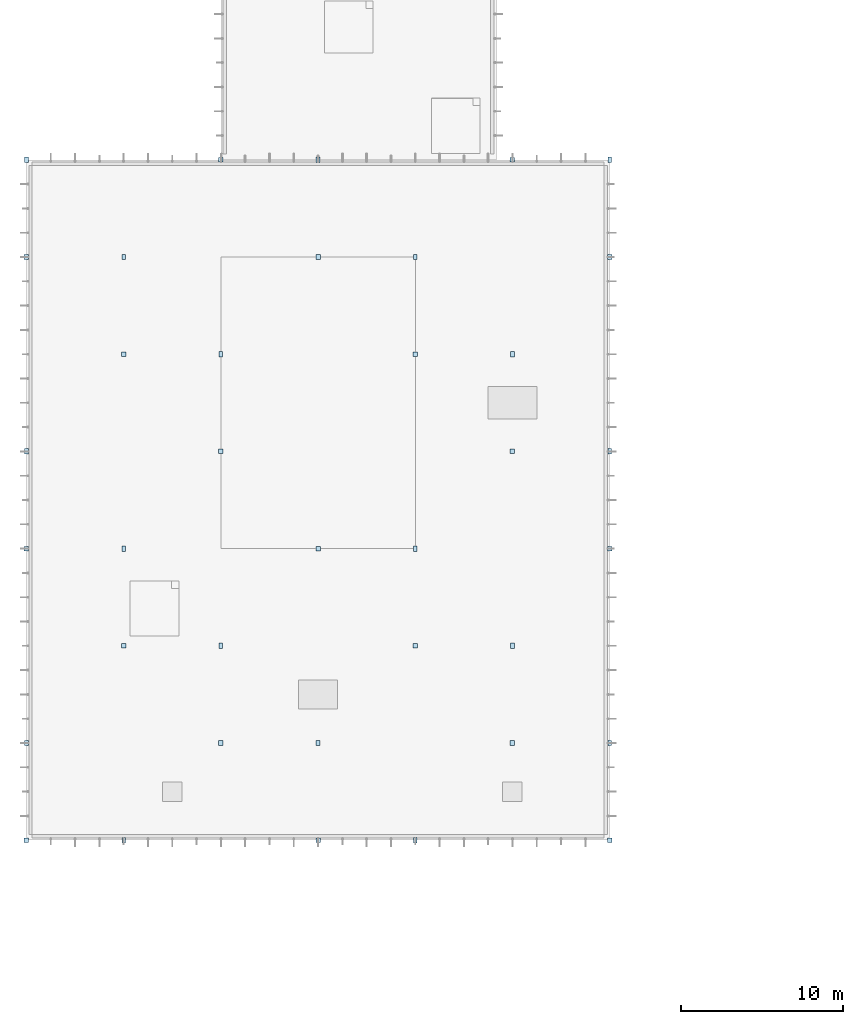
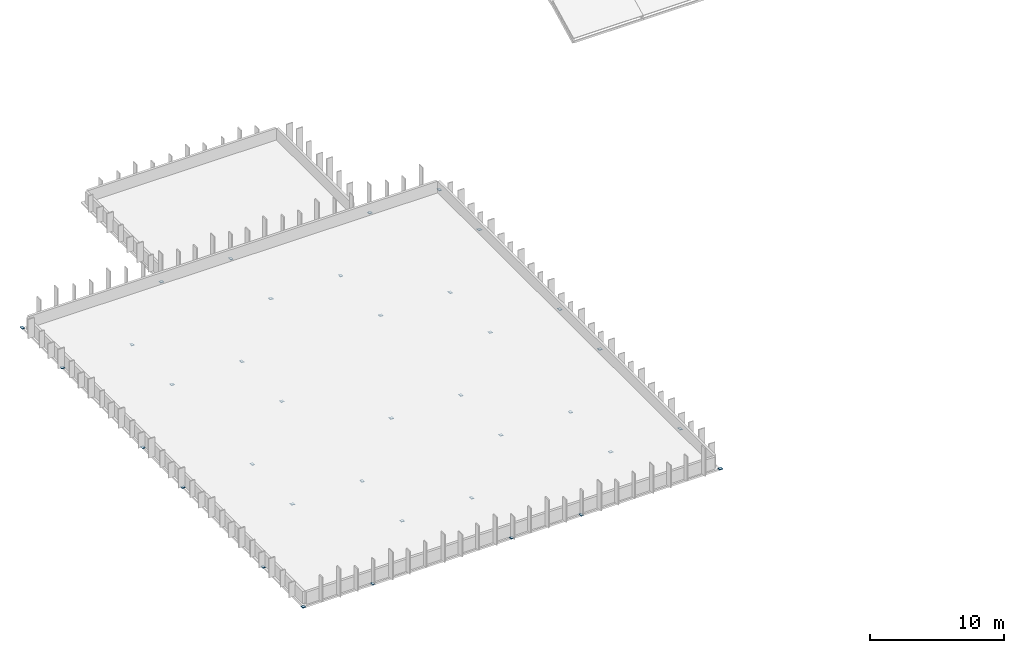
# One storey, part 13 of 27: 37 plates.
"""IFC4 building model written with IfcOpenShell, lengths in metres."""

from ifc_helpers import new_model, si_unit, direction, frame, origin, origin_2d, place, context, subcontext, project, spatial, rectangle, extrude, material, layer, layer_set, type_object, element, save


model = new_model("IFC4")

# Units and contexts
model_context = context("Model", 3, precision=1e-05, world=origin(), true_north=direction((0.0, 1.0)))
body_context = subcontext(model_context, "Body", "Model", "MODEL_VIEW")
ifc_project = project(units=[si_unit("LENGTHUNIT", "METRE"), si_unit("AREAUNIT", "SQUARE_METRE"), si_unit("VOLUMEUNIT", "CUBIC_METRE"), si_unit("PLANEANGLEUNIT", "RADIAN"), si_unit("MASSUNIT", "GRAM", prefix="KILO")], contexts=[model_context])

# Site, building, storey
site_placement = place(None, origin())
site = spatial("IfcSite", under=ifc_project, at=site_placement, CompositionType="ELEMENT")
building_placement = place(site_placement, origin())
building = spatial("IfcBuilding", under=site, at=building_placement, Name="Varnakota Square Police Headquarters", CompositionType="ELEMENT")
storey_placement = place(building_placement, frame((0.0, 0.0, 26.10009765625)))
storey = spatial("IfcBuildingStorey", under=building, at=storey_placement, Name="L06", CompositionType="ELEMENT", Elevation=26.10009765625)

# Plates
ifc_material = material(Name="Steel IS 2062 Grade 350", Category="steel")
ifc_layer = layer(ifc_material, 0.01611328125, Name="Steel IS 2062 Grade 350")
ifc_layer_set = layer_set([ifc_layer], Name="Steel IS 2062 Grade 350")
plate_type = type_object("IfcPlateType", Name="PL-CAP-16", PredefinedType="SHEET", material=ifc_layer_set)
plate_1_placement = place(storey_placement, frame((6.0, 21.0, -0.002197265625), z_axis=(0.0, 0.0, 1.0), x_axis=(1.0, 0.0, 0.0)))
element("IfcPlate", 1, at=plate_1_placement, inside=storey, type_object=plate_type, Name="Hollow column top cap plate CP-COL-X0060-Y0210", PredefinedType="SHEET", context=body_context, shape_type="SweptSolid", body=[
    extrude(rectangle(XDim=0.280029296875, YDim=0.280029296875, at=origin_2d()), origin(), (0.0, 0.0, 1.0), 0.01611328125),
])
plate_2_placement = place(storey_placement, frame((6.0, 27.0, -0.002197265625), z_axis=(0.0, 0.0, 1.0), x_axis=(1.0, 0.0, 0.0)))
element("IfcPlate", 2, at=plate_2_placement, inside=storey, type_object=plate_type, Name="Hollow column top cap plate CP-COL-X0060-Y0270", PredefinedType="SHEET", context=body_context, shape_type="SweptSolid", body=[
    extrude(rectangle(XDim=0.22998046875, YDim=0.330078125, at=origin_2d()), origin(), (0.0, 0.0, 1.0), 0.01611328125),
])
plate_3_placement = place(storey_placement, frame((6.0, 39.0, -0.002197265625), z_axis=(0.0, 0.0, 1.0), x_axis=(1.0, 0.0, 0.0)))
element("IfcPlate", 3, at=plate_3_placement, inside=storey, type_object=plate_type, Name="Hollow column top cap plate CP-COL-X0060-Y0390", PredefinedType="SHEET", context=body_context, shape_type="SweptSolid", body=[
    extrude(rectangle(XDim=0.280029296875, YDim=0.280029296875, at=origin_2d()), origin(), (0.0, 0.0, 1.0), 0.01611328125),
])
plate_4_placement = place(storey_placement, frame((6.0, 45.0, -0.002197265625), z_axis=(0.0, 0.0, 1.0), x_axis=(1.0, 0.0, 0.0)))
element("IfcPlate", 4, at=plate_4_placement, inside=storey, type_object=plate_type, Name="Hollow column top cap plate CP-COL-X0060-Y0450", PredefinedType="SHEET", context=body_context, shape_type="SweptSolid", body=[
    extrude(rectangle(XDim=0.22998046875, YDim=0.330078125, at=origin_2d()), origin(), (0.0, 0.0, 1.0), 0.01611328125),
])
plate_5_placement = place(storey_placement, frame((6.0, 57.0, -0.002197265625), z_axis=(0.0, 0.0, 1.0), x_axis=(1.0, 0.0, 0.0)))
element("IfcPlate", 5, at=plate_5_placement, inside=storey, type_object=plate_type, Name="Hollow column top cap plate CP-COL-X0060-Y0570", PredefinedType="SHEET", context=body_context, shape_type="SweptSolid", body=[
    extrude(rectangle(XDim=0.280029296875, YDim=0.280029296875, at=origin_2d()), origin(), (0.0, 0.0, 1.0), 0.01611328125),
])
for number, where, z_axis, x_axis, name in (
    (6, (6.0, 63.0, -0.002197265625), (0.0, 0.0, 1.0), (1.0, 0.0, 0.0), "Hollow column top cap plate CP-COL-X0060-Y0630"),
    (7, (12.0, 21.0, -0.002197265625), (0.0, 0.0, 1.0), (1.0, 0.0, 0.0), "Hollow column top cap plate CP-COL-X0120-Y0210"),
):
    element("IfcPlate", number, at=place(storey_placement, frame(where, z_axis=z_axis, x_axis=x_axis)), inside=storey, type_object=plate_type, Name=name, PredefinedType="SHEET", context=body_context, shape_type="SweptSolid", body=[
        extrude(rectangle(XDim=0.22998046875, YDim=0.330078125, at=origin_2d()), origin(), (0.0, 0.0, 1.0), 0.01611328125),
    ])
plate_6_placement = place(storey_placement, frame((12.0, 33.0, -0.002197265625), z_axis=(0.0, 0.0, 1.0), x_axis=(1.0, 0.0, 0.0)))
element("IfcPlate", 8, at=plate_6_placement, inside=storey, type_object=plate_type, Name="Hollow column top cap plate CP-COL-X0120-Y0330", PredefinedType="SHEET", context=body_context, shape_type="SweptSolid", body=[
    extrude(rectangle(XDim=0.280029296875, YDim=0.280029296875, at=origin_2d()), origin(), (0.0, 0.0, 1.0), 0.01611328125),
])
plate_7_placement = place(storey_placement, frame((12.0, 39.0, -0.002197265625), z_axis=(0.0, 0.0, 1.0), x_axis=(1.0, 0.0, 0.0)))
element("IfcPlate", 9, at=plate_7_placement, inside=storey, type_object=plate_type, Name="Hollow column top cap plate CP-COL-X0120-Y0390", PredefinedType="SHEET", context=body_context, shape_type="SweptSolid", body=[
    extrude(rectangle(XDim=0.22998046875, YDim=0.330078125, at=origin_2d()), origin(), (0.0, 0.0, 1.0), 0.01611328125),
])
plate_8_placement = place(storey_placement, frame((12.0, 51.0, -0.002197265625), z_axis=(0.0, 0.0, 1.0), x_axis=(1.0, 0.0, 0.0)))
element("IfcPlate", 10, at=plate_8_placement, inside=storey, type_object=plate_type, Name="Hollow column top cap plate CP-COL-X0120-Y0510", PredefinedType="SHEET", context=body_context, shape_type="SweptSolid", body=[
    extrude(rectangle(XDim=0.280029296875, YDim=0.280029296875, at=origin_2d()), origin(), (0.0, 0.0, 1.0), 0.01611328125),
])
plate_9_placement = place(storey_placement, frame((12.0, 57.0, -0.002197265625), z_axis=(0.0, 0.0, 1.0), x_axis=(1.0, 0.0, 0.0)))
element("IfcPlate", 11, at=plate_9_placement, inside=storey, type_object=plate_type, Name="Hollow column top cap plate CP-COL-X0120-Y0570", PredefinedType="SHEET", context=body_context, shape_type="SweptSolid", body=[
    extrude(rectangle(XDim=0.22998046875, YDim=0.330078125, at=origin_2d()), origin(), (0.0, 0.0, 1.0), 0.01611328125),
])
plate_10_placement = place(storey_placement, frame((18.0, 27.0, -0.002197265625), z_axis=(0.0, 0.0, 1.0), x_axis=(1.0, 0.0, 0.0)))
element("IfcPlate", 12, at=plate_10_placement, inside=storey, type_object=plate_type, Name="Hollow column top cap plate CP-COL-X0180-Y0270", PredefinedType="SHEET", context=body_context, shape_type="SweptSolid", body=[
    extrude(rectangle(XDim=0.280029296875, YDim=0.280029296875, at=origin_2d()), origin(), (0.0, 0.0, 1.0), 0.01611328125),
])
plate_11_placement = place(storey_placement, frame((18.0, 33.0, -0.002197265625), z_axis=(0.0, 0.0, 1.0), x_axis=(1.0, 0.0, 0.0)))
element("IfcPlate", 13, at=plate_11_placement, inside=storey, type_object=plate_type, Name="Hollow column top cap plate CP-COL-X0180-Y0330", PredefinedType="SHEET", context=body_context, shape_type="SweptSolid", body=[
    extrude(rectangle(XDim=0.22998046875, YDim=0.330078125, at=origin_2d()), origin(), (0.0, 0.0, 1.0), 0.01611328125),
])
plate_12_placement = place(storey_placement, frame((18.0, 45.0, -0.002197265625), z_axis=(0.0, 0.0, 1.0), x_axis=(1.0, 0.0, 0.0)))
element("IfcPlate", 14, at=plate_12_placement, inside=storey, type_object=plate_type, Name="Hollow column top cap plate CP-COL-X0180-Y0450", PredefinedType="SHEET", context=body_context, shape_type="SweptSolid", body=[
    extrude(rectangle(XDim=0.280029296875, YDim=0.280029296875, at=origin_2d()), origin(), (0.0, 0.0, 1.0), 0.01611328125),
])
plate_13_placement = place(storey_placement, frame((18.0, 51.0, -0.002197265625), z_axis=(0.0, 0.0, 1.0), x_axis=(1.0, 0.0, 0.0)))
element("IfcPlate", 15, at=plate_13_placement, inside=storey, type_object=plate_type, Name="Hollow column top cap plate CP-COL-X0180-Y0510", PredefinedType="SHEET", context=body_context, shape_type="SweptSolid", body=[
    extrude(rectangle(XDim=0.22998046875, YDim=0.330078125, at=origin_2d()), origin(), (0.0, 0.0, 1.0), 0.01611328125),
])
for number, where, z_axis, x_axis, name in (
    (16, (18.0, 63.0, -0.002197265625), (0.0, 0.0, 1.0), (1.0, 0.0, 0.0), "Hollow column top cap plate CP-COL-X0180-Y0630"),
    (17, (24.0, 21.0, -0.002197265625), (0.0, 0.0, 1.0), (1.0, 0.0, 0.0), "Hollow column top cap plate CP-COL-X0240-Y0210"),
):
    element("IfcPlate", number, at=place(storey_placement, frame(where, z_axis=z_axis, x_axis=x_axis)), inside=storey, type_object=plate_type, Name=name, PredefinedType="SHEET", context=body_context, shape_type="SweptSolid", body=[
        extrude(rectangle(XDim=0.280029296875, YDim=0.280029296875, at=origin_2d()), origin(), (0.0, 0.0, 1.0), 0.01611328125),
    ])
plate_14_placement = place(storey_placement, frame((24.0, 27.0, -0.002197265625), z_axis=(0.0, 0.0, 1.0), x_axis=(1.0, 0.0, 0.0)))
element("IfcPlate", 18, at=plate_14_placement, inside=storey, type_object=plate_type, Name="Hollow column top cap plate CP-COL-X0240-Y0270", PredefinedType="SHEET", context=body_context, shape_type="SweptSolid", body=[
    extrude(rectangle(XDim=0.22998046875, YDim=0.330078125, at=origin_2d()), origin(), (0.0, 0.0, 1.0), 0.01611328125),
])
for number, where, z_axis, x_axis, name in (
    (19, (24.0, 39.0, -0.002197265625), (0.0, 0.0, 1.0), (1.0, 0.0, 0.0), "Hollow column top cap plate CP-COL-X0240-Y0390"),
    (20, (24.0, 57.0, -0.002197265625), (0.0, 0.0, 1.0), (1.0, 0.0, 0.0), "Hollow column top cap plate CP-COL-X0240-Y0570"),
):
    element("IfcPlate", number, at=place(storey_placement, frame(where, z_axis=z_axis, x_axis=x_axis)), inside=storey, type_object=plate_type, Name=name, PredefinedType="SHEET", context=body_context, shape_type="SweptSolid", body=[
        extrude(rectangle(XDim=0.280029296875, YDim=0.280029296875, at=origin_2d()), origin(), (0.0, 0.0, 1.0), 0.01611328125),
    ])
for number, where, z_axis, x_axis, name in (
    (21, (24.0, 63.0, -0.002197265625), (0.0, 0.0, 1.0), (1.0, 0.0, 0.0), "Hollow column top cap plate CP-COL-X0240-Y0630"),
    (22, (30.0, 21.0, -0.002197265625), (0.0, 0.0, 1.0), (1.0, 0.0, 0.0), "Hollow column top cap plate CP-COL-X0300-Y0210"),
):
    element("IfcPlate", number, at=place(storey_placement, frame(where, z_axis=z_axis, x_axis=x_axis)), inside=storey, type_object=plate_type, Name=name, PredefinedType="SHEET", context=body_context, shape_type="SweptSolid", body=[
        extrude(rectangle(XDim=0.22998046875, YDim=0.330078125, at=origin_2d()), origin(), (0.0, 0.0, 1.0), 0.01611328125),
    ])
plate_15_placement = place(storey_placement, frame((30.0, 33.0, -0.002197265625), z_axis=(0.0, 0.0, 1.0), x_axis=(1.0, 0.0, 0.0)))
element("IfcPlate", 23, at=plate_15_placement, inside=storey, type_object=plate_type, Name="Hollow column top cap plate CP-COL-X0300-Y0330", PredefinedType="SHEET", context=body_context, shape_type="SweptSolid", body=[
    extrude(rectangle(XDim=0.280029296875, YDim=0.280029296875, at=origin_2d()), origin(), (0.0, 0.0, 1.0), 0.01611328125),
])
plate_16_placement = place(storey_placement, frame((30.0, 39.0, -0.002197265625), z_axis=(0.0, 0.0, 1.0), x_axis=(1.0, 0.0, 0.0)))
element("IfcPlate", 24, at=plate_16_placement, inside=storey, type_object=plate_type, Name="Hollow column top cap plate CP-COL-X0300-Y0390", PredefinedType="SHEET", context=body_context, shape_type="SweptSolid", body=[
    extrude(rectangle(XDim=0.22998046875, YDim=0.330078125, at=origin_2d()), origin(), (0.0, 0.0, 1.0), 0.01611328125),
])
plate_17_placement = place(storey_placement, frame((30.0, 51.0, -0.002197265625), z_axis=(0.0, 0.0, 1.0), x_axis=(1.0, 0.0, 0.0)))
element("IfcPlate", 25, at=plate_17_placement, inside=storey, type_object=plate_type, Name="Hollow column top cap plate CP-COL-X0300-Y0510", PredefinedType="SHEET", context=body_context, shape_type="SweptSolid", body=[
    extrude(rectangle(XDim=0.280029296875, YDim=0.280029296875, at=origin_2d()), origin(), (0.0, 0.0, 1.0), 0.01611328125),
])
plate_18_placement = place(storey_placement, frame((30.0, 57.0, -0.002197265625), z_axis=(0.0, 0.0, 1.0), x_axis=(1.0, 0.0, 0.0)))
element("IfcPlate", 26, at=plate_18_placement, inside=storey, type_object=plate_type, Name="Hollow column top cap plate CP-COL-X0300-Y0570", PredefinedType="SHEET", context=body_context, shape_type="SweptSolid", body=[
    extrude(rectangle(XDim=0.22998046875, YDim=0.330078125, at=origin_2d()), origin(), (0.0, 0.0, 1.0), 0.01611328125),
])
plate_19_placement = place(storey_placement, frame((36.0, 27.0, -0.002197265625), z_axis=(0.0, 0.0, 1.0), x_axis=(1.0, 0.0, 0.0)))
element("IfcPlate", 27, at=plate_19_placement, inside=storey, type_object=plate_type, Name="Hollow column top cap plate CP-COL-X0360-Y0270", PredefinedType="SHEET", context=body_context, shape_type="SweptSolid", body=[
    extrude(rectangle(XDim=0.280029296875, YDim=0.280029296875, at=origin_2d()), origin(), (0.0, 0.0, 1.0), 0.01611328125),
])
plate_20_placement = place(storey_placement, frame((36.0, 33.0, -0.002197265625), z_axis=(0.0, 0.0, 1.0), x_axis=(1.0, 0.0, 0.0)))
element("IfcPlate", 28, at=plate_20_placement, inside=storey, type_object=plate_type, Name="Hollow column top cap plate CP-COL-X0360-Y0330", PredefinedType="SHEET", context=body_context, shape_type="SweptSolid", body=[
    extrude(rectangle(XDim=0.22998046875, YDim=0.330078125, at=origin_2d()), origin(), (0.0, 0.0, 1.0), 0.01611328125),
])
plate_21_placement = place(storey_placement, frame((36.0, 45.0, -0.002197265625), z_axis=(0.0, 0.0, 1.0), x_axis=(1.0, 0.0, 0.0)))
element("IfcPlate", 29, at=plate_21_placement, inside=storey, type_object=plate_type, Name="Hollow column top cap plate CP-COL-X0360-Y0450", PredefinedType="SHEET", context=body_context, shape_type="SweptSolid", body=[
    extrude(rectangle(XDim=0.280029296875, YDim=0.280029296875, at=origin_2d()), origin(), (0.0, 0.0, 1.0), 0.01611328125),
])
plate_22_placement = place(storey_placement, frame((36.0, 51.0, -0.002197265625), z_axis=(0.0, 0.0, 1.0), x_axis=(1.0, 0.0, 0.0)))
element("IfcPlate", 30, at=plate_22_placement, inside=storey, type_object=plate_type, Name="Hollow column top cap plate CP-COL-X0360-Y0510", PredefinedType="SHEET", context=body_context, shape_type="SweptSolid", body=[
    extrude(rectangle(XDim=0.22998046875, YDim=0.330078125, at=origin_2d()), origin(), (0.0, 0.0, 1.0), 0.01611328125),
])
for number, where, z_axis, x_axis, name in (
    (31, (36.0, 63.0, -0.002197265625), (0.0, 0.0, 1.0), (1.0, 0.0, 0.0), "Hollow column top cap plate CP-COL-X0360-Y0630"),
    (32, (42.0, 21.0, -0.002197265625), (0.0, 0.0, 1.0), (1.0, 0.0, 0.0), "Hollow column top cap plate CP-COL-X0420-Y0210"),
):
    element("IfcPlate", number, at=place(storey_placement, frame(where, z_axis=z_axis, x_axis=x_axis)), inside=storey, type_object=plate_type, Name=name, PredefinedType="SHEET", context=body_context, shape_type="SweptSolid", body=[
        extrude(rectangle(XDim=0.280029296875, YDim=0.280029296875, at=origin_2d()), origin(), (0.0, 0.0, 1.0), 0.01611328125),
    ])
plate_23_placement = place(storey_placement, frame((42.0, 27.0, -0.002197265625), z_axis=(0.0, 0.0, 1.0), x_axis=(1.0, 0.0, 0.0)))
element("IfcPlate", 33, at=plate_23_placement, inside=storey, type_object=plate_type, Name="Hollow column top cap plate CP-COL-X0420-Y0270", PredefinedType="SHEET", context=body_context, shape_type="SweptSolid", body=[
    extrude(rectangle(XDim=0.22998046875, YDim=0.330078125, at=origin_2d()), origin(), (0.0, 0.0, 1.0), 0.01611328125),
])
plate_24_placement = place(storey_placement, frame((42.0, 39.0, -0.002197265625), z_axis=(0.0, 0.0, 1.0), x_axis=(1.0, 0.0, 0.0)))
element("IfcPlate", 34, at=plate_24_placement, inside=storey, type_object=plate_type, Name="Hollow column top cap plate CP-COL-X0420-Y0390", PredefinedType="SHEET", context=body_context, shape_type="SweptSolid", body=[
    extrude(rectangle(XDim=0.280029296875, YDim=0.280029296875, at=origin_2d()), origin(), (0.0, 0.0, 1.0), 0.01611328125),
])
plate_25_placement = place(storey_placement, frame((42.0, 45.0, -0.002197265625), z_axis=(0.0, 0.0, 1.0), x_axis=(1.0, 0.0, 0.0)))
element("IfcPlate", 35, at=plate_25_placement, inside=storey, type_object=plate_type, Name="Hollow column top cap plate CP-COL-X0420-Y0450", PredefinedType="SHEET", context=body_context, shape_type="SweptSolid", body=[
    extrude(rectangle(XDim=0.22998046875, YDim=0.330078125, at=origin_2d()), origin(), (0.0, 0.0, 1.0), 0.01611328125),
])
plate_26_placement = place(storey_placement, frame((42.0, 57.0, -0.002197265625), z_axis=(0.0, 0.0, 1.0), x_axis=(1.0, 0.0, 0.0)))
element("IfcPlate", 36, at=plate_26_placement, inside=storey, type_object=plate_type, Name="Hollow column top cap plate CP-COL-X0420-Y0570", PredefinedType="SHEET", context=body_context, shape_type="SweptSolid", body=[
    extrude(rectangle(XDim=0.280029296875, YDim=0.280029296875, at=origin_2d()), origin(), (0.0, 0.0, 1.0), 0.01611328125),
])
plate_27_placement = place(storey_placement, frame((42.0, 63.0, -0.002197265625), z_axis=(0.0, 0.0, 1.0), x_axis=(1.0, 0.0, 0.0)))
element("IfcPlate", 37, at=plate_27_placement, inside=storey, type_object=plate_type, Name="Hollow column top cap plate CP-COL-X0420-Y0630", PredefinedType="SHEET", context=body_context, shape_type="SweptSolid", body=[
    extrude(rectangle(XDim=0.22998046875, YDim=0.330078125, at=origin_2d()), origin(), (0.0, 0.0, 1.0), 0.01611328125),
])

save(model, "model.ifc")
